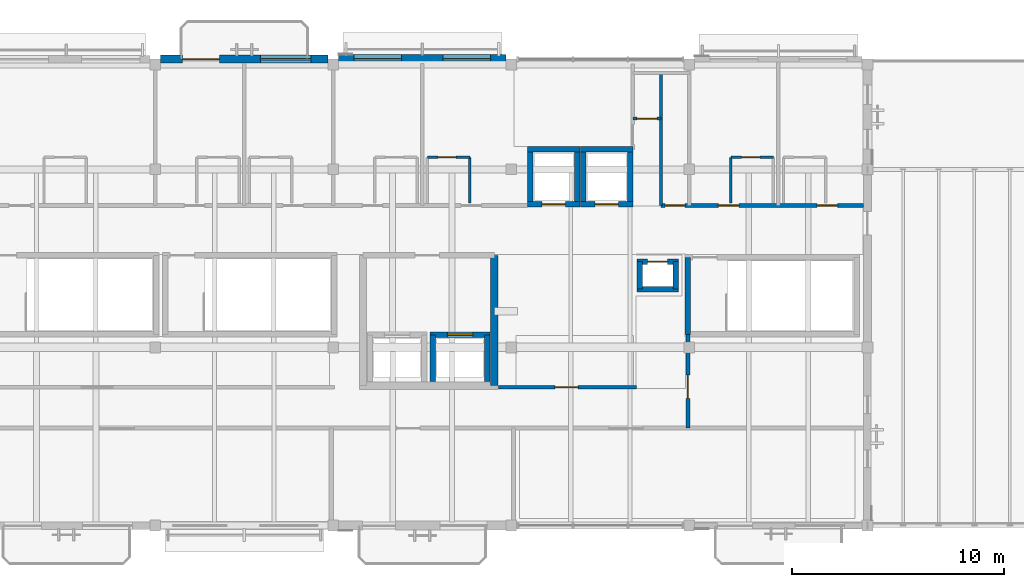
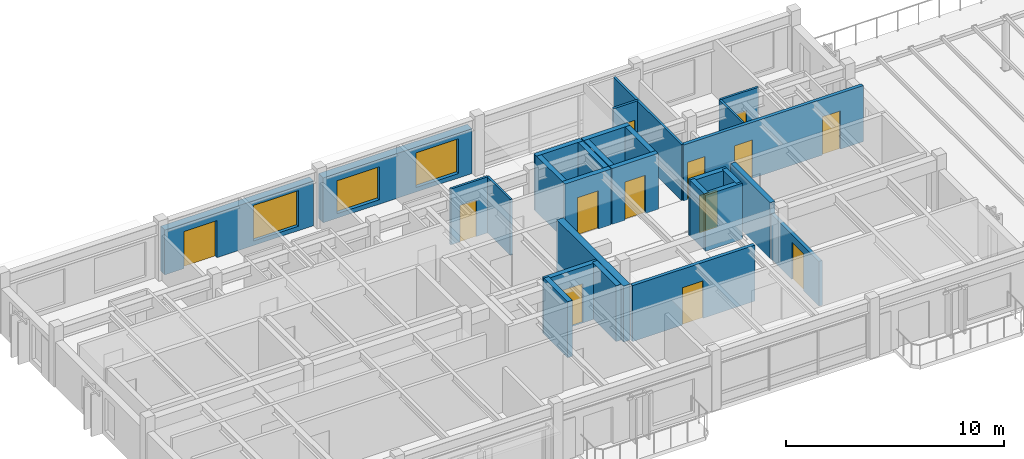
# One storey, part 15 of 24: 28 walls, 13 doors, 3 windows, 16 openings.
"""IFC4 building model written with IfcOpenShell, lengths in metres."""

from ifc_helpers import new_model, si_unit, direction, frame, frame_2d, origin, place, context, subcontext, project, spatial, rectangle, extrude, material, layer, layer_set, type_object, element, fill, save


model = new_model("IFC4")

# Units and contexts
model_context = context("Model", 3, precision=1e-05, world=origin(), true_north=direction((0.0, 1.0)))
body_context = subcontext(model_context, "Body", "Model", "MODEL_VIEW")
ifc_project = project(units=[si_unit("LENGTHUNIT", "METRE"), si_unit("AREAUNIT", "SQUARE_METRE"), si_unit("VOLUMEUNIT", "CUBIC_METRE"), si_unit("PLANEANGLEUNIT", "RADIAN"), si_unit("MASSUNIT", "GRAM", prefix="KILO")], contexts=[model_context])

# Site, building, storey
site_placement = place(None, origin())
site = spatial("IfcSite", under=ifc_project, at=site_placement, CompositionType="ELEMENT")
building_placement = place(site_placement, origin())
building = spatial("IfcBuilding", under=site, at=building_placement, Name="Cumbredor Promenade Congress Hotel", CompositionType="ELEMENT")
storey_placement = place(building_placement, frame((0.0, 0.0, 35.280029296875)))
storey = spatial("IfcBuildingStorey", under=building, at=storey_placement, Name="L10", CompositionType="ELEMENT", Elevation=35.280029296875)

# Wall
ifc_material_1 = material(Name="Concrete C50/60", Category="concrete")
ifc_layer_1 = layer(ifc_material_1, 0.35009765625, Name="Concrete C50/60", Category="concrete")
ifc_layer_set_1 = layer_set([ifc_layer_1], Name="Concrete C50/60")
wall_type_1 = type_object("IfcWallType", Name="Seismic Shear Core Wall 350mm", PredefinedType="SHEAR", material=ifc_layer_set_1)
wall_1_placement = place(storey_placement, frame((32.800048828125, 99.0, 0.0), z_axis=(0.0, 0.0, 1.0), x_axis=(0.0, 1.0, 0.0)))
element("IfcWall", 1, at=wall_1_placement, inside=storey, type_object=wall_type_1, Name="L10 Hotel Core Shear Wall E1", PredefinedType="SHEAR", context=body_context, shape_type="SweptSolid", body=[
    extrude(rectangle(XDim=6.14990234375, YDim=0.35009765625, at=frame_2d((3.074951171875, 0.0))), origin(), (0.0, 0.0, 1.0), 3.139892578125),
])

# Wall, opening, door
ifc_material_2 = material(Name="Moisture-resistant gypsum board on steel studs", Category="steel")
ifc_layer_2 = layer(ifc_material_2, 0.114990234375, Name="Moisture-resistant gypsum board on steel studs", Category="steel")
ifc_layer_set_2 = layer_set([ifc_layer_2], Name="Moisture-resistant gypsum board on steel studs")
wall_type_2 = type_object("IfcWallType", Name="WL-BATH-115", PredefinedType="PARTITIONING", material=ifc_layer_set_2)
wall_2_placement = place(storey_placement, frame((29.639892578125, 109.77001953125, 0.0), z_axis=(0.0, 0.0, 1.0), x_axis=(1.0, 0.0, 0.0)))
wall_2 = element("IfcWall", 2, at=wall_2_placement, inside=storey, type_object=wall_type_2, Name="L10 Interior Partition W-L10-BH-1005", PredefinedType="PARTITIONING", context=body_context, shape_type="SweptSolid", body=[
    extrude(rectangle(XDim=2.0, YDim=0.114990234375, at=frame_2d((1.0, 0.0))), origin(), (0.0, 0.0, 1.0), 3.139892578125),
])
opening_1_placement = place(wall_2_placement, frame((0.5, 0.0, 0.0)))
opening_1 = element("IfcOpeningElement", 3, at=opening_1_placement, cuts=wall_2, Name="Opening ID-01", PredefinedType="OPENING", context=body_context, shape_type="SweptSolid", body=[
    extrude(rectangle(XDim=0.860107421875, YDim=2.050048828125, at=frame_2d((0.43017578125, 1.02490234375))), frame((0.0, 0.0673828125, 0.0), z_axis=(0.0, -1.0, 0.0), x_axis=(1.0, 0.0, 0.0)), (0.0, 0.0, 1.0), 0.135009765625),
])
ifc_material_3 = material(Name="Kiln-dried tropical hardwood", Category="wood")
door_type_1 = type_object("IfcDoorType", Name="DR-BATH-860", OperationType="NOTDEFINED", PredefinedType="DOOR", material=ifc_material_3)
door_1_placement = place(opening_1_placement, origin())
door_1 = element("IfcDoor", 4, at=door_1_placement, inside=storey, type_object=door_type_1, Name="L10 Interior Door W-L10-BH-1005-01", OperationType="SINGLE_SWING_RIGHT", OverallHeight=2.050048828125, OverallWidth=0.860107421875, PredefinedType="DOOR", context=body_context, shape_type="SweptSolid", body=[
    extrude(rectangle(XDim=0.860107421875, YDim=2.050048828125, at=frame_2d((0.43017578125, 1.02490234375))), frame((0.0, 0.02490234375, 0.0), z_axis=(0.0, -1.0, 0.0), x_axis=(1.0, 0.0, 0.0)), (0.0, 0.0, 1.0), 0.050048828125),
])
fill(opening_1, door_1)

# Wall
wall_3_placement = place(storey_placement, frame((31.639892578125, 107.6201171875, 0.0), z_axis=(0.0, 0.0, 1.0), x_axis=(0.0, 1.0, 0.0)))
element("IfcWall", 5, at=wall_3_placement, inside=storey, type_object=wall_type_2, Name="L10 Interior Partition W-L10-BV2-1005", PredefinedType="PARTITIONING", context=body_context, shape_type="SweptSolid", body=[
    extrude(rectangle(XDim=2.14990234375, YDim=0.114990234375, at=frame_2d((1.074951171875, 0.0))), origin(), (0.0, 0.0, 1.0), 3.139892578125),
])

# Wall, opening, door
wall_4_placement = place(storey_placement, frame((43.9599609375, 109.77001953125, 0.0), z_axis=(0.0, 0.0, 1.0), x_axis=(1.0, 0.0, 0.0)))
wall_4 = element("IfcWall", 6, at=wall_4_placement, inside=storey, type_object=wall_type_2, Name="L10 Interior Partition W-L10-BH-1006", PredefinedType="PARTITIONING", context=body_context, shape_type="SweptSolid", body=[
    extrude(rectangle(XDim=2.0, YDim=0.114990234375, at=frame_2d((1.0, 0.0))), origin(), (0.0, 0.0, 1.0), 3.139892578125),
])
opening_2_placement = place(wall_4_placement, frame((0.5, 0.0, 0.0)))
opening_2 = element("IfcOpeningElement", 7, at=opening_2_placement, cuts=wall_4, Name="Opening ID-01", PredefinedType="OPENING", context=body_context, shape_type="SweptSolid", body=[
    extrude(rectangle(XDim=0.860107421875, YDim=2.050048828125, at=frame_2d((0.43017578125, 1.02490234375))), frame((0.0, 0.0673828125, 0.0), z_axis=(0.0, -1.0, 0.0), x_axis=(1.0, 0.0, 0.0)), (0.0, 0.0, 1.0), 0.135009765625),
])
door_2_placement = place(opening_2_placement, origin())
door_2 = element("IfcDoor", 8, at=door_2_placement, inside=storey, type_object=door_type_1, Name="L10 Interior Door W-L10-BH-1006-01", OperationType="SINGLE_SWING_LEFT", OverallHeight=2.050048828125, OverallWidth=0.860107421875, PredefinedType="DOOR", context=body_context, shape_type="SweptSolid", body=[
    extrude(rectangle(XDim=0.860107421875, YDim=2.050048828125, at=frame_2d((0.43017578125, 1.02490234375))), frame((0.0, 0.02490234375, 0.0), z_axis=(0.0, -1.0, 0.0), x_axis=(1.0, 0.0, 0.0)), (0.0, 0.0, 1.0), 0.050048828125),
])
fill(opening_2, door_2)

# Wall
wall_5_placement = place(storey_placement, frame((43.9599609375, 107.6201171875, 0.0), z_axis=(0.0, 0.0, 1.0), x_axis=(0.0, 1.0, 0.0)))
element("IfcWall", 9, at=wall_5_placement, inside=storey, type_object=wall_type_2, Name="L10 Interior Partition W-L10-BV1-1006", PredefinedType="PARTITIONING", context=body_context, shape_type="SweptSolid", body=[
    extrude(rectangle(XDim=2.14990234375, YDim=0.114990234375, at=frame_2d((1.074951171875, 0.0))), origin(), (0.0, 0.0, 1.0), 3.139892578125),
])

# Wall, openings, doors
ifc_material_4 = material(Name="Fire-rated hotel corridor wall")
ifc_layer_3 = layer(ifc_material_4, 0.179931640625, Name="Fire-rated hotel corridor wall")
ifc_layer_set_3 = layer_set([ifc_layer_3], Name="Fire-rated hotel corridor wall")
wall_type_3 = type_object("IfcWallType", Name="WL-CORR-180", PredefinedType="PARTITIONING", material=ifc_layer_set_3)
wall_6_placement = place(storey_placement, frame((40.659912109375, 107.5, 0.0), z_axis=(0.0, 0.0, 1.0), x_axis=(1.0, 0.0, 0.0)))
wall_6 = element("IfcWall", 10, at=wall_6_placement, inside=storey, type_object=wall_type_3, Name="L10 Interior Partition W-L10-CORR-NE", PredefinedType="PARTITIONING", context=body_context, shape_type="SweptSolid", body=[
    extrude(rectangle(XDim=9.550048828125, YDim=0.179931640625, at=frame_2d((4.77490234375, 0.0))), origin(), (0.0, 0.0, 1.0), 3.139892578125),
])
opening_3_placement = place(wall_6_placement, frame((0.199951171875, 0.0, 0.0)))
opening_3 = element("IfcOpeningElement", 11, at=opening_3_placement, cuts=wall_6, Name="Opening FD-03", PredefinedType="OPENING", context=body_context, shape_type="SweptSolid", body=[
    extrude(rectangle(XDim=0.93994140625, YDim=2.10009765625, at=frame_2d((0.469970703125, 1.050048828125))), frame((0.0, 0.10009765625, 0.0), z_axis=(0.0, -1.0, 0.0), x_axis=(1.0, 0.0, 0.0)), (0.0, 0.0, 1.0), 0.199951171875),
])
opening_4_placement = place(wall_6_placement, frame((2.7099609375, 0.0, 0.0)))
opening_4 = element("IfcOpeningElement", 12, at=opening_4_placement, cuts=wall_6, Name="Opening FD-01", PredefinedType="OPENING", context=body_context, shape_type="SweptSolid", body=[
    extrude(rectangle(XDim=0.9599609375, YDim=2.14990234375, at=frame_2d((0.47998046875, 1.074951171875))), frame((0.0, 0.10009765625, 0.0), z_axis=(0.0, -1.0, 0.0), x_axis=(1.0, 0.0, 0.0)), (0.0, 0.0, 1.0), 0.199951171875),
])
opening_5_placement = place(wall_6_placement, frame((7.3701171875, 0.0, 0.0)))
opening_5 = element("IfcOpeningElement", 13, at=opening_5_placement, cuts=wall_6, Name="Opening FD-01", PredefinedType="OPENING", context=body_context, shape_type="SweptSolid", body=[
    extrude(rectangle(XDim=0.9599609375, YDim=2.14990234375, at=frame_2d((0.47998046875, 1.074951171875))), frame((0.0, 0.10009765625, 0.0), z_axis=(0.0, -1.0, 0.0), x_axis=(1.0, 0.0, 0.0)), (0.0, 0.0, 1.0), 0.199951171875),
])
ifc_material_5 = material(Name="Solid-core fire-rated tropical hardwood", Category="wood")
door_type_2 = type_object("IfcDoorType", Name="DR-GUEST-FD30-950", OperationType="NOTDEFINED", PredefinedType="DOOR", material=ifc_material_5)
door_3_placement = place(opening_4_placement, origin())
door_3 = element("IfcDoor", 14, at=door_3_placement, inside=storey, type_object=door_type_2, Name="L10 Interior Door W-L10-CORR-NE-02", OperationType="SINGLE_SWING_RIGHT", OverallHeight=2.14990234375, OverallWidth=0.9599609375, PredefinedType="DOOR", context=body_context, shape_type="SweptSolid", body=[
    extrude(rectangle(XDim=0.9599609375, YDim=2.14990234375, at=frame_2d((0.47998046875, 1.074951171875))), frame((0.0, 0.02490234375, 0.0), z_axis=(0.0, -1.0, 0.0), x_axis=(1.0, 0.0, 0.0)), (0.0, 0.0, 1.0), 0.050048828125),
])
fill(opening_4, door_3)
door_4_placement = place(opening_5_placement, origin())
door_4 = element("IfcDoor", 15, at=door_4_placement, inside=storey, type_object=door_type_2, Name="L10 Interior Door W-L10-CORR-NE-03", OperationType="SINGLE_SWING_LEFT", OverallHeight=2.14990234375, OverallWidth=0.9599609375, PredefinedType="DOOR", context=body_context, shape_type="SweptSolid", body=[
    extrude(rectangle(XDim=0.9599609375, YDim=2.14990234375, at=frame_2d((0.47998046875, 1.074951171875))), frame((0.0, 0.02490234375, 0.0), z_axis=(0.0, -1.0, 0.0), x_axis=(1.0, 0.0, 0.0)), (0.0, 0.0, 1.0), 0.050048828125),
])
fill(opening_5, door_4)
ifc_material_6 = material(Name="Painted galvanized steel fire door", Category="steel")
door_type_3 = type_object("IfcDoorType", Name="DR-SGL-FD60-950", OperationType="NOTDEFINED", PredefinedType="DOOR", material=ifc_material_6)
door_5_placement = place(opening_3_placement, origin())
door_5 = element("IfcDoor", 16, at=door_5_placement, inside=storey, type_object=door_type_3, Name="L10 Interior Door W-L10-CORR-NE-01", OperationType="SINGLE_SWING_RIGHT", OverallHeight=2.10009765625, OverallWidth=0.93994140625, PredefinedType="DOOR", context=body_context, shape_type="SweptSolid", body=[
    extrude(rectangle(XDim=0.93994140625, YDim=2.10009765625, at=frame_2d((0.469970703125, 1.050048828125))), frame((0.0, 0.02490234375, 0.0), z_axis=(0.0, -1.0, 0.0), x_axis=(1.0, 0.0, 0.0)), (0.0, 0.0, 1.0), 0.050048828125),
])
fill(opening_3, door_5)

# Wall, opening, door
wall_7_placement = place(storey_placement, frame((33.0, 98.919921875, 0.0), z_axis=(0.0, 0.0, 1.0), x_axis=(1.0, 0.0, 0.0)))
wall_7 = element("IfcWall", 17, at=wall_7_placement, inside=storey, type_object=wall_type_3, Name="L10 Interior Partition W-L10-BIZ-S", PredefinedType="PARTITIONING", context=body_context, shape_type="SweptSolid", body=[
    extrude(rectangle(XDim=6.5, YDim=0.179931640625, at=frame_2d((3.25, 0.0))), origin(), (0.0, 0.0, 1.0), 3.139892578125),
])
opening_6_placement = place(wall_7_placement, frame((2.64990234375, 0.0, 0.0)))
opening_6 = element("IfcOpeningElement", 18, at=opening_6_placement, cuts=wall_7, Name="Opening FD-04", PredefinedType="OPENING", context=body_context, shape_type="SweptSolid", body=[
    extrude(rectangle(XDim=1.10009765625, YDim=2.10009765625, at=frame_2d((0.550048828125, 1.050048828125))), frame((0.0, 0.10009765625, 0.0), z_axis=(0.0, -1.0, 0.0), x_axis=(1.0, 0.0, 0.0)), (0.0, 0.0, 1.0), 0.199951171875),
])
door_type_4 = type_object("IfcDoorType", Name="DR-SGL-FD60-1100", OperationType="NOTDEFINED", PredefinedType="DOOR", material=ifc_material_6)
door_6_placement = place(opening_6_placement, origin())
door_6 = element("IfcDoor", 19, at=door_6_placement, inside=storey, type_object=door_type_4, Name="L10 Interior Door W-L10-BIZ-S-01", OperationType="SINGLE_SWING_RIGHT", OverallHeight=2.10009765625, OverallWidth=1.10009765625, PredefinedType="DOOR", context=body_context, shape_type="SweptSolid", body=[
    extrude(rectangle(XDim=1.10009765625, YDim=2.10009765625, at=frame_2d((0.550048828125, 1.050048828125))), frame((0.0, 0.02490234375, 0.0), z_axis=(0.0, -1.0, 0.0), x_axis=(1.0, 0.0, 0.0)), (0.0, 0.0, 1.0), 0.050048828125),
])
fill(opening_6, door_6)

wall_8_placement = place(storey_placement, frame((41.929931640625, 97.0, 0.0), z_axis=(0.0, 0.0, 1.0), x_axis=(0.0, 1.0, 0.0)))
wall_8 = element("IfcWall", 20, at=wall_8_placement, inside=storey, type_object=wall_type_3, Name="L10 Interior Partition W-L10-PANTRY-W", PredefinedType="PARTITIONING", context=body_context, shape_type="SweptSolid", body=[
    extrude(rectangle(XDim=4.419921875, YDim=0.179931640625, at=frame_2d((2.2099609375, 0.0))), origin(), (0.0, 0.0, 1.0), 2.513916015625),
])
opening_7_placement = place(wall_8_placement, frame((1.39990234375, 0.0, 0.0)))
opening_7 = element("IfcOpeningElement", 21, at=opening_7_placement, cuts=wall_8, Name="Opening FD-04", PredefinedType="OPENING", context=body_context, shape_type="SweptSolid", body=[
    extrude(rectangle(XDim=1.10009765625, YDim=2.10009765625, at=frame_2d((0.550048828125, 1.050048828125))), frame((0.0, 0.10009765625, 0.0), z_axis=(0.0, -1.0, 0.0), x_axis=(1.0, 0.0, 0.0)), (0.0, 0.0, 1.0), 0.199951171875),
])
door_7_placement = place(opening_7_placement, origin())
door_7 = element("IfcDoor", 22, at=door_7_placement, inside=storey, type_object=door_type_4, Name="L10 Interior Door W-L10-PANTRY-W-01", OperationType="SINGLE_SWING_LEFT", OverallHeight=2.10009765625, OverallWidth=1.10009765625, PredefinedType="DOOR", context=body_context, shape_type="SweptSolid", body=[
    extrude(rectangle(XDim=1.10009765625, YDim=2.10009765625, at=frame_2d((0.550048828125, 1.050048828125))), frame((0.0, 0.02490234375, 0.0), z_axis=(0.0, -1.0, 0.0), x_axis=(1.0, 0.0, 0.0)), (0.0, 0.0, 1.0), 0.050048828125),
])
fill(opening_7, door_7)

# Wall, openings, door, window
ifc_material_7 = material(Name="Concrete C40/50", Category="concrete")
ifc_layer_4 = layer(ifc_material_7, 0.3798828125, Name="Concrete C40/50", Category="concrete")
ifc_layer_set_4 = layer_set([ifc_layer_4], Name="Concrete C40/50")
wall_type_4 = type_object("IfcWallType", Name="WL-EXT-380", PredefinedType="SOLIDWALL", material=ifc_layer_set_4)
wall_9_placement = place(storey_placement, frame((17.051025390625, 114.39990234375, 0.0), z_axis=(0.0, 0.0, 1.0), x_axis=(1.0, 0.0, 0.0)))
wall_9 = element("IfcWall", 23, at=wall_9_placement, inside=storey, type_object=wall_type_4, Name="L10 Stepped Congress Hotel Wing North Envelope Wall 2", PredefinedType="SOLIDWALL", context=body_context, shape_type="SweptSolid", body=[
    extrude(rectangle(XDim=7.89794921875, YDim=0.3798828125, at=frame_2d((3.948974609375, 0.0))), origin(), (0.0, 0.0, 1.0), 2.513916015625),
])
opening_8_placement = place(wall_9_placement, frame((1.02392578125, 0.0, 0.0)))
opening_8 = element("IfcOpeningElement", 24, at=opening_8_placement, cuts=wall_9, Name="Opening TD-03", PredefinedType="OPENING", context=body_context, shape_type="SweptSolid", body=[
    extrude(rectangle(XDim=1.75, YDim=2.080078125, at=frame_2d((0.875, 1.0400390625))), frame((0.0, 0.199951171875, 0.0), z_axis=(0.0, -1.0, 0.0), x_axis=(1.0, 0.0, 0.0)), (0.0, 0.0, 1.0), 0.39990234375),
])
opening_9_placement = place(wall_9_placement, frame((4.708984375, 0.0, 0.25)))
opening_9 = element("IfcOpeningElement", 25, at=opening_9_placement, cuts=wall_9, Name="Opening WN-41", PredefinedType="OPENING", context=body_context, shape_type="SweptSolid", body=[
    extrude(rectangle(XDim=2.3798828125, YDim=2.0, at=frame_2d((1.18994140625, 1.0))), frame((0.0, 0.199951171875, 0.0), z_axis=(0.0, -1.0, 0.0), x_axis=(1.0, 0.0, 0.0)), (0.0, 0.0, 1.0), 0.39990234375),
])
ifc_material_8 = material(Name="Thermally broken anodized aluminium and laminated safety glass", Category="aluminium")
door_type_5 = type_object("IfcDoorType", Name="EXT-DR-TER-1750x2080", OperationType="DOUBLE_DOOR_SINGLE_SWING", PredefinedType="DOOR", material=ifc_material_8)
door_8_placement = place(opening_8_placement, origin())
door_8 = element("IfcDoor", 26, at=door_8_placement, inside=storey, type_object=door_type_5, Name="L10 Guestroom Veranda Balcony Door 098", OperationType="DOUBLE_DOOR_SINGLE_SWING", OverallHeight=2.080078125, OverallWidth=1.75, PredefinedType="DOOR", context=body_context, shape_type="SweptSolid", body=[
    extrude(rectangle(XDim=1.75, YDim=2.080078125, at=frame_2d((0.875, 1.0400390625))), frame((0.0, 0.02490234375, 0.0), z_axis=(0.0, -1.0, 0.0), x_axis=(1.0, 0.0, 0.0)), (0.0, 0.0, 1.0), 0.050048828125),
])
fill(opening_8, door_8)
ifc_material_9 = material(Name="Thermally broken anodized aluminium and low-E glass", Category="aluminium")
window_type_1 = type_object("IfcWindowType", Name="Hospitality Floor-to-Ceiling Window WN-41 2380x2000", PartitioningType="DOUBLE_PANEL_VERTICAL", PredefinedType="WINDOW", material=ifc_material_9)
window_1_placement = place(opening_9_placement, origin())
window_1 = element("IfcWindow", 27, at=window_1_placement, inside=storey, type_object=window_type_1, Name="L10 Veranda Companion Floor-to-Ceiling Window 0717", OverallHeight=2.0, OverallWidth=2.3798828125, PartitioningType="DOUBLE_PANEL_VERTICAL", PredefinedType="WINDOW", context=body_context, shape_type="SweptSolid", body=[
    extrude(rectangle(XDim=2.3798828125, YDim=2.0, at=frame_2d((1.18994140625, 1.0))), frame((0.0, 0.030029296875, 0.0), z_axis=(0.0, -1.0, 0.0), x_axis=(1.0, 0.0, 0.0)), (0.0, 0.0, 1.0), 0.06005859375),
])
fill(opening_9, window_1)

# Wall, openings, windows
ifc_layer_5 = layer(ifc_material_7, 0.425048828125, Name="Concrete C40/50", Category="concrete")
ifc_layer_set_5 = layer_set([ifc_layer_5], Name="Concrete C40/50")
wall_type_5 = type_object("IfcWallType", Name="WL-EXT-425", PredefinedType="SOLIDWALL", material=ifc_layer_set_5)
wall_10_placement = place(storey_placement, frame((25.450927734375, 114.39990234375, 0.0), z_axis=(0.0, 0.0, 1.0), x_axis=(1.0, 0.0, 0.0)))
wall_10 = element("IfcWall", 28, at=wall_10_placement, inside=storey, type_object=wall_type_5, Name="L10 Stepped Congress Hotel Wing North Envelope Wall 3", PredefinedType="SOLIDWALL", context=body_context, shape_type="SweptSolid", body=[
    extrude(rectangle(XDim=7.898193359375, YDim=0.425048828125, at=frame_2d((3.94921875, 0.0))), origin(), (0.0, 0.0, 1.0), 2.513916015625),
])
opening_10_placement = place(wall_10_placement, frame((0.72412109375, 0.0, 0.25)))
opening_10 = element("IfcOpeningElement", 29, at=opening_10_placement, cuts=wall_10, Name="Opening WN-01", PredefinedType="OPENING", context=body_context, shape_type="SweptSolid", body=[
    extrude(rectangle(XDim=2.25, YDim=1.85009765625, at=frame_2d((1.125, 0.925048828125))), frame((0.0, 0.22265625, 0.0), z_axis=(0.0, -1.0, 0.0), x_axis=(1.0, 0.0, 0.0)), (0.0, 0.0, 1.0), 0.445068359375),
])
opening_11_placement = place(wall_10_placement, frame((4.924072265625, 0.0, 0.25)))
opening_11 = element("IfcOpeningElement", 30, at=opening_11_placement, cuts=wall_10, Name="Opening WN-07", PredefinedType="OPENING", context=body_context, shape_type="SweptSolid", body=[
    extrude(rectangle(XDim=2.25, YDim=1.949951171875, at=frame_2d((1.125, 0.97509765625))), frame((0.0, 0.22265625, 0.0), z_axis=(0.0, -1.0, 0.0), x_axis=(1.0, 0.0, 0.0)), (0.0, 0.0, 1.0), 0.445068359375),
])
window_type_2 = type_object("IfcWindowType", Name="Hospitality Floor-to-Ceiling Window WN-01 2250x1850", PartitioningType="DOUBLE_PANEL_VERTICAL", PredefinedType="WINDOW", material=ifc_material_9)
window_2_placement = place(opening_10_placement, origin())
window_2 = element("IfcWindow", 31, at=window_2_placement, inside=storey, type_object=window_type_2, Name="L10 Wide Hospitality Window 0718", OverallHeight=1.85009765625, OverallWidth=2.25, PartitioningType="DOUBLE_PANEL_VERTICAL", PredefinedType="WINDOW", context=body_context, shape_type="SweptSolid", body=[
    extrude(rectangle(XDim=2.25, YDim=1.85009765625, at=frame_2d((1.125, 0.925048828125))), frame((0.0, 0.030029296875, 0.0), z_axis=(0.0, -1.0, 0.0), x_axis=(1.0, 0.0, 0.0)), (0.0, 0.0, 1.0), 0.06005859375),
])
fill(opening_10, window_2)
window_type_3 = type_object("IfcWindowType", Name="Hospitality Floor-to-Ceiling Window WN-07 2250x1950", PartitioningType="DOUBLE_PANEL_VERTICAL", PredefinedType="WINDOW", material=ifc_material_9)
window_3_placement = place(opening_11_placement, origin())
window_3 = element("IfcWindow", 32, at=window_3_placement, inside=storey, type_object=window_type_3, Name="L10 Wide Hospitality Window 0719", OverallHeight=1.949951171875, OverallWidth=2.25, PartitioningType="DOUBLE_PANEL_VERTICAL", PredefinedType="WINDOW", context=body_context, shape_type="SweptSolid", body=[
    extrude(rectangle(XDim=2.25, YDim=1.949951171875, at=frame_2d((1.125, 0.97509765625))), frame((0.0, 0.030029296875, 0.0), z_axis=(0.0, -1.0, 0.0), x_axis=(1.0, 0.0, 0.0)), (0.0, 0.0, 1.0), 0.06005859375),
])
fill(opening_11, window_3)

# Wall, opening, door
ifc_material_10 = material(Name="Gypsum board on steel studs", Category="steel")
ifc_layer_6 = layer(ifc_material_10, 0.125, Name="Gypsum board on steel studs", Category="steel")
ifc_layer_set_6 = layer_set([ifc_layer_6], Name="Gypsum board on steel studs")
wall_type_6 = type_object("IfcWallType", Name="WL-PART-125", PredefinedType="PARTITIONING", material=ifc_layer_set_6)
wall_11_placement = place(storey_placement, frame((39.330078125, 111.60009765625, 0.0), z_axis=(0.0, 0.0, 1.0), x_axis=(1.0, 0.0, 0.0)))
wall_11 = element("IfcWall", 33, at=wall_11_placement, inside=storey, type_object=wall_type_6, Name="L10 Interior Partition W-L10-HK-S", PredefinedType="PARTITIONING", context=body_context, shape_type="SweptSolid", body=[
    extrude(rectangle(XDim=1.329833984375, YDim=0.125, at=frame_2d((0.6650390625, 0.0))), origin(), (0.0, 0.0, 1.0), 3.139892578125),
])
opening_12_placement = place(wall_11_placement, frame((0.195068359375, 0.0, 0.0)))
opening_12 = element("IfcOpeningElement", 34, at=opening_12_placement, cuts=wall_11, Name="Opening FD-03", PredefinedType="OPENING", context=body_context, shape_type="SweptSolid", body=[
    extrude(rectangle(XDim=0.93994140625, YDim=2.10009765625, at=frame_2d((0.469970703125, 1.050048828125))), frame((0.0, 0.072509765625, 0.0), z_axis=(0.0, -1.0, 0.0), x_axis=(1.0, 0.0, 0.0)), (0.0, 0.0, 1.0), 0.14501953125),
])
door_9_placement = place(opening_12_placement, origin())
door_9 = element("IfcDoor", 35, at=door_9_placement, inside=storey, type_object=door_type_3, Name="L10 Interior Door W-L10-HK-S-01", OperationType="SINGLE_SWING_LEFT", OverallHeight=2.10009765625, OverallWidth=0.93994140625, PredefinedType="DOOR", context=body_context, shape_type="SweptSolid", body=[
    extrude(rectangle(XDim=0.93994140625, YDim=2.10009765625, at=frame_2d((0.469970703125, 1.050048828125))), frame((0.0, 0.02490234375, 0.0), z_axis=(0.0, -1.0, 0.0), x_axis=(1.0, 0.0, 0.0)), (0.0, 0.0, 1.0), 0.050048828125),
])
fill(opening_12, door_9)

# Walls
wall_12_placement = place(storey_placement, frame((40.659912109375, 107.5, 0.0), z_axis=(0.0, 0.0, 1.0), x_axis=(0.0, 1.0, 0.0)))
element("IfcWall", 36, at=wall_12_placement, inside=storey, type_object=wall_type_6, Name="L10 Interior Partition W-L10-HK-DIV", PredefinedType="PARTITIONING", context=body_context, shape_type="SweptSolid", body=[
    extrude(rectangle(XDim=6.25, YDim=0.125, at=frame_2d((3.125, 0.0))), origin(), (0.0, 0.0, 1.0), 3.139892578125),
])
ifc_layer_7 = layer(ifc_material_7, 0.2548828125, Name="Concrete C40/50", Category="concrete")
ifc_layer_set_7 = layer_set([ifc_layer_7], Name="Concrete C40/50")
wall_type_7 = type_object("IfcWallType", Name="WL-SHAFT-250", PredefinedType="SOLIDWALL", material=ifc_layer_set_7)
wall_13_placement = place(storey_placement, frame((41.929931640625, 101.419921875, 0.0), z_axis=(0.0, 0.0, 1.0), x_axis=(0.0, 1.0, 0.0)))
element("IfcWall", 37, at=wall_13_placement, inside=storey, type_object=wall_type_7, Name="STAIR-ST-03-L10 Shaft Wall West", PredefinedType="SOLIDWALL", context=body_context, shape_type="SweptSolid", body=[
    extrude(rectangle(XDim=3.630126953125, YDim=0.2548828125, at=frame_2d((1.81494140625, 0.0))), origin(), (0.0, 0.0, 1.0), 3.139892578125),
])

# Wall, opening, door
wall_14_placement = place(storey_placement, frame((29.7724609375, 101.39990234375, 0.0), z_axis=(0.0, 0.0, 1.0), x_axis=(1.0, 0.0, 0.0)))
wall_14 = element("IfcWall", 38, at=wall_14_placement, inside=storey, type_object=wall_type_7, Name="SHAFT-FF-02-L10 Shaft Wall North", PredefinedType="SOLIDWALL", context=body_context, shape_type="SweptSolid", body=[
    extrude(rectangle(XDim=2.824951171875, YDim=0.2548828125, at=frame_2d((1.41259765625, 0.0))), origin(), (0.0, 0.0, 1.0), 3.139892578125),
])
opening_13_placement = place(wall_14_placement, frame((0.8125, 0.0, 0.0)))
opening_13 = element("IfcOpeningElement", 39, at=opening_13_placement, cuts=wall_14, Name="Opening LD-02", PredefinedType="OPENING", context=body_context, shape_type="SweptSolid", body=[
    extrude(rectangle(XDim=1.199951171875, YDim=2.199951171875, at=frame_2d((0.60009765625, 1.10009765625))), frame((0.0, 0.137451171875, 0.0), z_axis=(0.0, -1.0, 0.0), x_axis=(1.0, 0.0, 0.0)), (0.0, 0.0, 1.0), 0.27490234375),
])
ifc_material_11 = material(Name="Brushed stainless steel", Category="steel")
door_type_6 = type_object("IfcDoorType", Name="Firefighting Lift Sliding Door LD-02 1200x2200", OperationType="DOUBLE_DOOR_SLIDING", PredefinedType="DOOR", material=ifc_material_11)
door_10_placement = place(opening_13_placement, origin())
door_10 = element("IfcDoor", 40, at=door_10_placement, inside=storey, type_object=door_type_6, Name="L10 Firefighting Lift FF-02 Sliding Landing Door", OperationType="DOUBLE_DOOR_SLIDING", OverallHeight=2.199951171875, OverallWidth=1.199951171875, PredefinedType="DOOR", context=body_context, shape_type="SweptSolid", body=[
    extrude(rectangle(XDim=1.199951171875, YDim=2.199951171875, at=frame_2d((0.60009765625, 1.10009765625))), frame((0.0, 0.02490234375, 0.0), z_axis=(0.0, -1.0, 0.0), x_axis=(1.0, 0.0, 0.0)), (0.0, 0.0, 1.0), 0.050048828125),
])
fill(opening_13, door_10)

# Walls
for number, where, z_axis, x_axis, name in (
    (41, (29.89990234375, 99.199951171875, 0.0), (0.0, 0.0, 1.0), (0.0, 1.0, 0.0), "SHAFT-FF-02-L10 Shaft Wall West"),
    (42, (32.469970703125, 99.199951171875, 0.0), (0.0, 0.0, 1.0), (0.0, 1.0, 0.0), "SHAFT-FF-02-L10 Shaft Wall East"),
):
    element("IfcWall", number, at=place(storey_placement, frame(where, z_axis=z_axis, x_axis=x_axis)), inside=storey, type_object=wall_type_7, Name=name, PredefinedType="SOLIDWALL", context=body_context, shape_type="SweptSolid", body=[
        extrude(rectangle(XDim=2.199951171875, YDim=0.2548828125, at=frame_2d((1.10009765625, 0.0))), origin(), (0.0, 0.0, 1.0), 3.139892578125),
    ])

# Wall, opening, door
wall_15_placement = place(storey_placement, frame((34.37255859375, 107.550048828125, 0.0), z_axis=(0.0, 0.0, 1.0), x_axis=(1.0, 0.0, 0.0)))
wall_15 = element("IfcWall", 43, at=wall_15_placement, inside=storey, type_object=wall_type_7, Name="SHAFT-PL-01-L10 Shaft Wall South", PredefinedType="SOLIDWALL", context=body_context, shape_type="SweptSolid", body=[
    extrude(rectangle(XDim=2.454833984375, YDim=0.2548828125, at=frame_2d((1.2275390625, 0.0))), origin(), (0.0, 0.0, 1.0), 3.139892578125),
])
opening_14_placement = place(wall_15_placement, frame((0.677490234375, 0.0, 0.0)))
opening_14 = element("IfcOpeningElement", 44, at=opening_14_placement, cuts=wall_15, Name="Opening LD-01", PredefinedType="OPENING", context=body_context, shape_type="SweptSolid", body=[
    extrude(rectangle(XDim=1.10009765625, YDim=2.14990234375, at=frame_2d((0.550048828125, 1.074951171875))), frame((0.0, 0.137451171875, 0.0), z_axis=(0.0, -1.0, 0.0), x_axis=(1.0, 0.0, 0.0)), (0.0, 0.0, 1.0), 0.27490234375),
])
door_type_7 = type_object("IfcDoorType", Name="Lift Landing Sliding Door LD-01 1100x2150", OperationType="DOUBLE_DOOR_SLIDING", PredefinedType="DOOR", material=ifc_material_11)
door_11_placement = place(opening_14_placement, origin())
door_11 = element("IfcDoor", 45, at=door_11_placement, inside=storey, type_object=door_type_7, Name="L10 Hotel Passenger Lift PL-01 Sliding Landing Door", OperationType="DOUBLE_DOOR_SLIDING", OverallHeight=2.14990234375, OverallWidth=1.10009765625, PredefinedType="DOOR", context=body_context, shape_type="SweptSolid", body=[
    extrude(rectangle(XDim=1.10009765625, YDim=2.14990234375, at=frame_2d((0.550048828125, 1.074951171875))), frame((0.0, 0.02490234375, 0.0), z_axis=(0.0, -1.0, 0.0), x_axis=(1.0, 0.0, 0.0)), (0.0, 0.0, 1.0), 0.050048828125),
])
fill(opening_14, door_11)

# Walls
wall_16_placement = place(storey_placement, frame((34.37255859375, 110.14990234375, 0.0), z_axis=(0.0, 0.0, 1.0), x_axis=(1.0, 0.0, 0.0)))
element("IfcWall", 46, at=wall_16_placement, inside=storey, type_object=wall_type_7, Name="SHAFT-PL-01-L10 Shaft Wall North", PredefinedType="SOLIDWALL", context=body_context, shape_type="SweptSolid", body=[
    extrude(rectangle(XDim=2.454833984375, YDim=0.2548828125, at=frame_2d((1.2275390625, 0.0))), origin(), (0.0, 0.0, 1.0), 3.139892578125),
])
for number, where, z_axis, x_axis, name in (
    (47, (34.5, 107.550048828125, 0.0), (0.0, 0.0, 1.0), (0.0, 1.0, 0.0), "SHAFT-PL-01-L10 Shaft Wall West"),
    (48, (36.699951171875, 107.550048828125, 0.0), (0.0, 0.0, 1.0), (0.0, 1.0, 0.0), "SHAFT-PL-01-L10 Shaft Wall East"),
):
    element("IfcWall", number, at=place(storey_placement, frame(where, z_axis=z_axis, x_axis=x_axis)), inside=storey, type_object=wall_type_7, Name=name, PredefinedType="SOLIDWALL", context=body_context, shape_type="SweptSolid", body=[
        extrude(rectangle(XDim=2.599853515625, YDim=0.2548828125, at=frame_2d((1.2998046875, 0.0))), origin(), (0.0, 0.0, 1.0), 3.139892578125),
    ])

# Wall, opening, door
wall_17_placement = place(storey_placement, frame((36.87255859375, 107.550048828125, 0.0), z_axis=(0.0, 0.0, 1.0), x_axis=(1.0, 0.0, 0.0)))
wall_17 = element("IfcWall", 49, at=wall_17_placement, inside=storey, type_object=wall_type_7, Name="SHAFT-PL-02-L10 Shaft Wall South", PredefinedType="SOLIDWALL", context=body_context, shape_type="SweptSolid", body=[
    extrude(rectangle(XDim=2.454833984375, YDim=0.2548828125, at=frame_2d((1.2275390625, 0.0))), origin(), (0.0, 0.0, 1.0), 3.139892578125),
])
opening_15_placement = place(wall_17_placement, frame((0.677490234375, 0.0, 0.0)))
opening_15 = element("IfcOpeningElement", 50, at=opening_15_placement, cuts=wall_17, Name="Opening LD-01", PredefinedType="OPENING", context=body_context, shape_type="SweptSolid", body=[
    extrude(rectangle(XDim=1.10009765625, YDim=2.14990234375, at=frame_2d((0.550048828125, 1.074951171875))), frame((0.0, 0.137451171875, 0.0), z_axis=(0.0, -1.0, 0.0), x_axis=(1.0, 0.0, 0.0)), (0.0, 0.0, 1.0), 0.27490234375),
])
door_12_placement = place(opening_15_placement, origin())
door_12 = element("IfcDoor", 51, at=door_12_placement, inside=storey, type_object=door_type_7, Name="L10 Hotel Passenger Lift PL-02 Sliding Landing Door", OperationType="DOUBLE_DOOR_SLIDING", OverallHeight=2.14990234375, OverallWidth=1.10009765625, PredefinedType="DOOR", context=body_context, shape_type="SweptSolid", body=[
    extrude(rectangle(XDim=1.10009765625, YDim=2.14990234375, at=frame_2d((0.550048828125, 1.074951171875))), frame((0.0, 0.02490234375, 0.0), z_axis=(0.0, -1.0, 0.0), x_axis=(1.0, 0.0, 0.0)), (0.0, 0.0, 1.0), 0.050048828125),
])
fill(opening_15, door_12)

# Walls
wall_18_placement = place(storey_placement, frame((36.87255859375, 110.14990234375, 0.0), z_axis=(0.0, 0.0, 1.0), x_axis=(1.0, 0.0, 0.0)))
element("IfcWall", 52, at=wall_18_placement, inside=storey, type_object=wall_type_7, Name="SHAFT-PL-02-L10 Shaft Wall North", PredefinedType="SOLIDWALL", context=body_context, shape_type="SweptSolid", body=[
    extrude(rectangle(XDim=2.454833984375, YDim=0.2548828125, at=frame_2d((1.2275390625, 0.0))), origin(), (0.0, 0.0, 1.0), 3.139892578125),
])
for number, where, z_axis, x_axis, name in (
    (53, (37.0, 107.550048828125, 0.0), (0.0, 0.0, 1.0), (0.0, 1.0, 0.0), "SHAFT-PL-02-L10 Shaft Wall West"),
    (54, (39.199951171875, 107.550048828125, 0.0), (0.0, 0.0, 1.0), (0.0, 1.0, 0.0), "SHAFT-PL-02-L10 Shaft Wall East"),
):
    element("IfcWall", number, at=place(storey_placement, frame(where, z_axis=z_axis, x_axis=x_axis)), inside=storey, type_object=wall_type_7, Name=name, PredefinedType="SOLIDWALL", context=body_context, shape_type="SweptSolid", body=[
        extrude(rectangle(XDim=2.599853515625, YDim=0.2548828125, at=frame_2d((1.2998046875, 0.0))), origin(), (0.0, 0.0, 1.0), 3.139892578125),
    ])
wall_19_placement = place(storey_placement, frame((39.5224609375, 103.550048828125, 0.0), z_axis=(0.0, 0.0, 1.0), x_axis=(1.0, 0.0, 0.0)))
element("IfcWall", 55, at=wall_19_placement, inside=storey, type_object=wall_type_7, Name="RISER-MEP-R1-L10 Shaft Wall South", PredefinedType="SOLIDWALL", context=body_context, shape_type="SweptSolid", body=[
    extrude(rectangle(XDim=1.955078125, YDim=0.2548828125, at=frame_2d((0.9775390625, 0.0))), origin(), (0.0, 0.0, 1.0), 3.139892578125),
])

# Wall, opening, door
wall_20_placement = place(storey_placement, frame((39.5224609375, 104.85009765625, 0.0), z_axis=(0.0, 0.0, 1.0), x_axis=(1.0, 0.0, 0.0)))
wall_20 = element("IfcWall", 56, at=wall_20_placement, inside=storey, type_object=wall_type_7, Name="RISER-MEP-R1-L10 Shaft Wall North", PredefinedType="SOLIDWALL", context=body_context, shape_type="SweptSolid", body=[
    extrude(rectangle(XDim=1.955078125, YDim=0.2548828125, at=frame_2d((0.9775390625, 0.0))), origin(), (0.0, 0.0, 1.0), 3.139892578125),
])
opening_16_placement = place(wall_20_placement, frame((0.507568359375, 0.0, 0.0)))
opening_16 = element("IfcOpeningElement", 57, at=opening_16_placement, cuts=wall_20, Name="Opening FD-03", PredefinedType="OPENING", context=body_context, shape_type="SweptSolid", body=[
    extrude(rectangle(XDim=0.93994140625, YDim=2.10009765625, at=frame_2d((0.469970703125, 1.050048828125))), frame((0.0, 0.137451171875, 0.0), z_axis=(0.0, -1.0, 0.0), x_axis=(1.0, 0.0, 0.0)), (0.0, 0.0, 1.0), 0.27490234375),
])
door_13_placement = place(opening_16_placement, origin())
door_13 = element("IfcDoor", 58, at=door_13_placement, inside=storey, type_object=door_type_3, Name="L10 Hotel MEP Riser Shaft R1 Access Door", OperationType="SINGLE_SWING_LEFT", OverallHeight=2.10009765625, OverallWidth=0.93994140625, PredefinedType="DOOR", context=body_context, shape_type="SweptSolid", body=[
    extrude(rectangle(XDim=0.93994140625, YDim=2.10009765625, at=frame_2d((0.469970703125, 1.050048828125))), frame((0.0, 0.02490234375, 0.0), z_axis=(0.0, -1.0, 0.0), x_axis=(1.0, 0.0, 0.0)), (0.0, 0.0, 1.0), 0.050048828125),
])
fill(opening_16, door_13)

# Walls
for number, where, z_axis, x_axis, name in (
    (59, (39.64990234375, 103.550048828125, 0.0), (0.0, 0.0, 1.0), (0.0, 1.0, 0.0), "RISER-MEP-R1-L10 Shaft Wall West"),
    (60, (41.35009765625, 103.550048828125, 0.0), (0.0, 0.0, 1.0), (0.0, 1.0, 0.0), "RISER-MEP-R1-L10 Shaft Wall East"),
):
    element("IfcWall", number, at=place(storey_placement, frame(where, z_axis=z_axis, x_axis=x_axis)), inside=storey, type_object=wall_type_7, Name=name, PredefinedType="SOLIDWALL", context=body_context, shape_type="SweptSolid", body=[
        extrude(rectangle(XDim=1.300048828125, YDim=0.2548828125, at=frame_2d((0.64990234375, 0.0))), origin(), (0.0, 0.0, 1.0), 3.139892578125),
    ])

save(model, "model.ifc")
